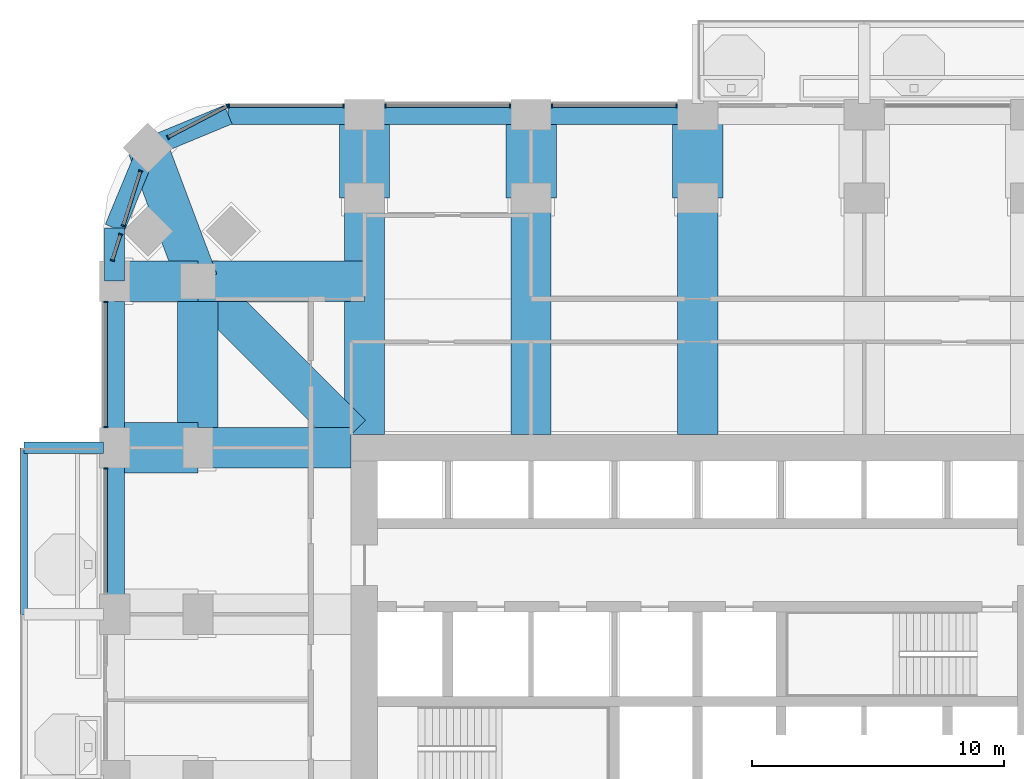
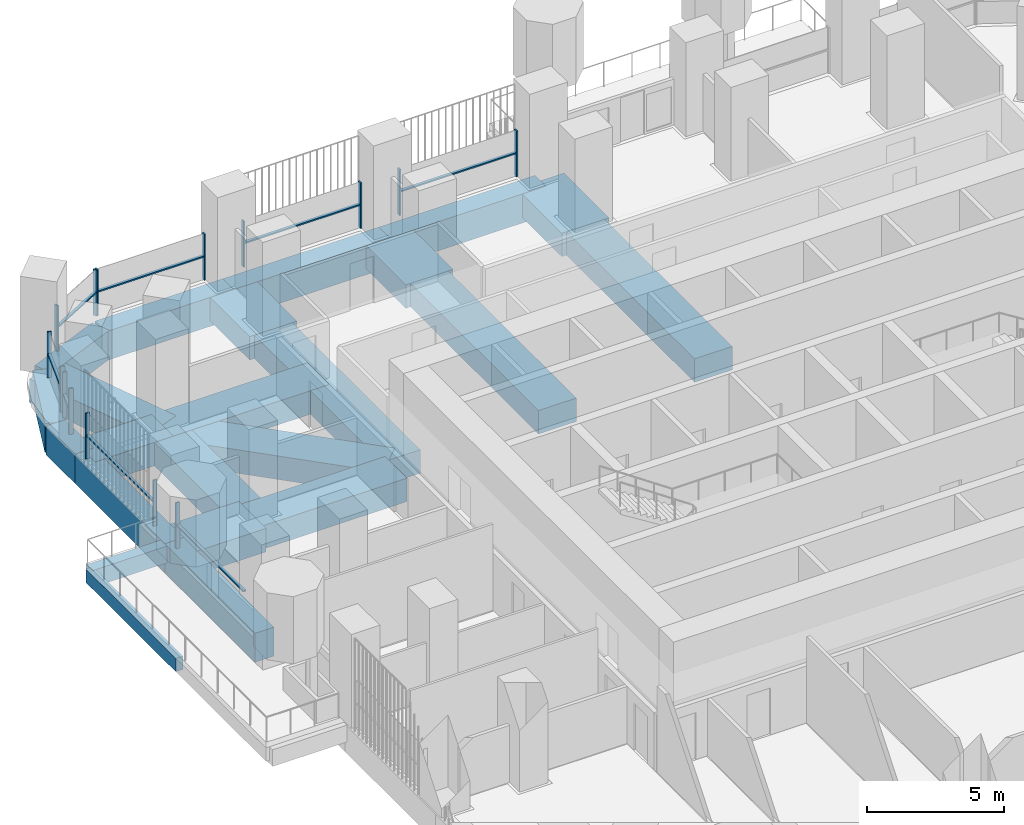
# One storey, part 6 of 22: 23 beams, 23 members, 8 elements without a shape of their own.
"""IFC4 building model written with IfcOpenShell, lengths in metres."""

from ifc_helpers import new_model, si_unit, direction, frame, origin, origin_2d, place, context, subcontext, project, spatial, rectangle, extrude, material, material_profile, profile_set, type_object, element, aggregate, save


model = new_model("IFC4")

# Units and contexts
model_context = context("Model", 3, precision=1e-05, world=origin(), true_north=direction((0.0, 1.0)))
body_context = subcontext(model_context, "Body", "Model", "MODEL_VIEW")
ifc_project = project(units=[si_unit("LENGTHUNIT", "METRE"), si_unit("AREAUNIT", "SQUARE_METRE"), si_unit("VOLUMEUNIT", "CUBIC_METRE"), si_unit("PLANEANGLEUNIT", "RADIAN"), si_unit("MASSUNIT", "GRAM", prefix="KILO")], contexts=[model_context])

# Site, building, storey
site_placement = place(None, origin())
site = spatial("IfcSite", under=ifc_project, at=site_placement, CompositionType="ELEMENT")
building_placement = place(site_placement, origin())
building = spatial("IfcBuilding", under=site, at=building_placement, Name="Cobogo Forest Laboratory Tower", CompositionType="ELEMENT")
storey_placement = place(building_placement, frame((0.0, 0.0, 145.199951171875)))
storey = spatial("IfcBuildingStorey", under=building, at=storey_placement, Name="L33", CompositionType="ELEMENT", Elevation=145.199951171875)

# Beams
ifc_material_1 = material(Name="Concrete HA-40 (C40/50)", Category="concrete")
ifc_material_profile_1 = material_profile(ifc_material_1, rectangle(XDim=0.449951171875, YDim=0.75, at=origin_2d()), Name="RC 450x750")
ifc_profile_set_1 = profile_set([ifc_material_profile_1], Name="Concrete HA-40 (C40/50)")
beam_type_1 = type_object("IfcBeamType", Name="Balcony cantilever beam 450x750", PredefinedType="BEAM", material=ifc_profile_set_1)
beam_1_placement = place(storey_placement, frame((2.85009765625, 33.0, -0.625), z_axis=(-1.0, 0.0, 0.0), x_axis=(0.0, -1.0, 0.0)))
element("IfcBeam", 1, at=beam_1_placement, inside=storey, type_object=beam_type_1, Name="CB1 BAL-W1-C3 L33", PredefinedType="BEAM", context=body_context, shape_type="SweptSolid", body=[
    extrude(rectangle(XDim=0.449951171875, YDim=0.75, at=origin_2d()), origin(), (0.0, 0.0, 1.0), 3.150146484375),
])
ifc_material_profile_2 = material_profile(ifc_material_1, rectangle(XDim=0.300048828125, YDim=0.60009765625, at=origin_2d()), Name="RC 300x600")
ifc_profile_set_2 = profile_set([ifc_material_profile_2], Name="Concrete HA-40 (C40/50)")
beam_type_2 = type_object("IfcBeamType", Name="Balcony edge beam 300x600", PredefinedType="BEAM", material=ifc_profile_set_2)
beam_2_placement = place(storey_placement, frame((-0.300048828125, 26.39990234375, -0.550048828125), z_axis=(0.0, 1.0, 0.0), x_axis=(-1.0, 0.0, 0.0)))
element("IfcBeam", 2, at=beam_2_placement, inside=storey, type_object=beam_type_2, Name="BB1 BAL-W1-T2 L33", PredefinedType="BEAM", context=body_context, shape_type="SweptSolid", body=[
    extrude(rectangle(XDim=0.300048828125, YDim=0.60009765625, at=origin_2d()), origin(), (0.0, 0.0, 1.0), 6.60009765625),
])
ifc_material_2 = material(Name="Concrete HA-50 (C50/60)", Category="concrete")
ifc_material_profile_3 = material_profile(ifc_material_2, rectangle(XDim=2.0, YDim=1.050048828125, at=origin_2d()), Name="RC 2000x1050")
ifc_profile_set_3 = profile_set([ifc_material_profile_3], Name="Concrete HA-50 (C50/60)")
beam_type_3 = type_object("IfcBeamType", Name="End-bay wide beam 2000x1050", PredefinedType="BEAM", material=ifc_profile_set_3)
for number, where, z_axis, x_axis, name in (
    (3, (13.199951171875, 46.199951171875, -0.824951171875), (0.0, -1.0, 0.0), (1.0, 0.0, 0.0), "RB7 R-3-N-X L33"),
    (4, (19.800048828125, 46.199951171875, -0.824951171875), (0.0, -1.0, 0.0), (1.0, 0.0, 0.0), "RB7 R-4-N-X L33"),
    (5, (26.39990234375, 46.199951171875, -0.824951171875), (0.0, -1.0, 0.0), (1.0, 0.0, 0.0), "RB7 R-5-N-X L33"),
    (6, (3.300048828125, 33.0, -0.824951171875), (1.0, 0.0, 0.0), (0.0, 1.0, 0.0), "RB7 R-F-W-X L33"),
):
    element("IfcBeam", number, at=place(storey_placement, frame(where, z_axis=z_axis, x_axis=x_axis)), inside=storey, type_object=beam_type_3, Name=name, PredefinedType="BEAM", context=body_context, shape_type="SweptSolid", body=[
        extrude(rectangle(XDim=2.0, YDim=1.050048828125, at=origin_2d()), origin(), (0.0, 0.0, 1.0), 3.300048828125),
    ])
ifc_material_profile_4 = material_profile(ifc_material_2, rectangle(XDim=1.60009765625, YDim=1.050048828125, at=origin_2d()), Name="RC 1600x1050")
ifc_profile_set_4 = profile_set([ifc_material_profile_4], Name="Concrete HA-50 (C50/60)")
beam_type_4 = type_object("IfcBeamType", Name="Laboratory floor wide beam 1600x1050", PredefinedType="BEAM", material=ifc_profile_set_4)
for number, where, z_axis, x_axis, name in (
    (7, (13.199951171875, 33.52490234375, -0.824951171875), (0.0, 1.0, 0.0), (-1.0, 0.0, 0.0), "RB8 R-3-N L33"),
    (8, (19.800048828125, 33.52490234375, -0.824951171875), (0.0, 1.0, 0.0), (-1.0, 0.0, 0.0), "RB8 R-4-N L33"),
    (9, (26.39990234375, 33.52490234375, -0.824951171875), (0.0, 1.0, 0.0), (-1.0, 0.0, 0.0), "RB8 R-5-N L33"),
):
    element("IfcBeam", number, at=place(storey_placement, frame(where, z_axis=z_axis, x_axis=x_axis)), inside=storey, type_object=beam_type_4, Name=name, PredefinedType="BEAM", context=body_context, shape_type="SweptSolid", body=[
        extrude(rectangle(XDim=1.60009765625, YDim=1.050048828125, at=origin_2d()), origin(), (0.0, 0.0, 1.0), 9.375),
    ])
beam_3_placement = place(storey_placement, frame((12.675048828125, 33.0, -0.824951171875), z_axis=(-1.0, 0.0, 0.0), x_axis=(0.0, -1.0, 0.0)))
element("IfcBeam", 10, at=beam_3_placement, inside=storey, type_object=beam_type_4, Name="RB8 R-F-W L33", PredefinedType="BEAM", context=body_context, shape_type="SweptSolid", body=[
    extrude(rectangle(XDim=1.60009765625, YDim=1.050048828125, at=origin_2d()), origin(), (0.0, 0.0, 1.0), 6.074951171875),
])
beam_4_placement = place(storey_placement, frame((6.60009765625, 39.60009765625, -0.824951171875), z_axis=(0.0, -1.0, 0.0), x_axis=(1.0, 0.0, 0.0)))
element("IfcBeam", 11, at=beam_4_placement, inside=storey, type_object=beam_type_4, Name="RB8 G-NW-XC L33", PredefinedType="BEAM", context=body_context, shape_type="SweptSolid", body=[
    extrude(rectangle(XDim=1.60009765625, YDim=1.050048828125, at=origin_2d()), origin(), (0.0, 0.0, 1.0), 6.60009765625),
])
beam_5_placement = place(storey_placement, frame((3.300048828125, 39.60009765625, -0.824951171875), z_axis=(1.0, 0.0, 0.0), x_axis=(0.0, 1.0, 0.0)))
element("IfcBeam", 12, at=beam_5_placement, inside=storey, type_object=beam_type_4, Name="RB8 G-NW-YF L33", PredefinedType="BEAM", context=body_context, shape_type="SweptSolid", body=[
    extrude(rectangle(XDim=1.60009765625, YDim=1.050048828125, at=origin_2d()), origin(), (0.0, 0.0, 1.0), 3.300048828125),
])
beam_6_placement = place(storey_placement, frame((6.60009765625, 39.60009765625, -0.824951171875), z_axis=(1.0, 0.0, 0.0), x_axis=(0.0, 1.0, 0.0)))
element("IfcBeam", 13, at=beam_6_placement, inside=storey, type_object=beam_type_4, Name="RB8 G-NW-YC L33", PredefinedType="BEAM", context=body_context, shape_type="SweptSolid", body=[
    extrude(rectangle(XDim=1.60009765625, YDim=1.050048828125, at=origin_2d()), origin(), (0.0, 0.0, 1.0), 6.599853515625),
])
beam_7_placement = place(storey_placement, frame((4.617919921875, 44.882080078125, -0.824951171875), z_axis=(0.351346325373, -0.936245565889, 0.0), x_axis=(0.936245565889, 0.351346325373, 0.0)))
element("IfcBeam", 14, at=beam_7_placement, inside=storey, type_object=beam_type_4, Name="RB8 G-NW-D1 L33", PredefinedType="BEAM", context=body_context, shape_type="SweptSolid", body=[
    extrude(rectangle(XDim=1.60009765625, YDim=1.050048828125, at=origin_2d()), origin(), (0.0, 0.0, 1.0), 5.6416015625),
])
beam_8_placement = place(storey_placement, frame((6.60009765625, 39.60009765625, -0.824951171875), z_axis=(0.707092572697, -0.70712098939, 0.0), x_axis=(0.70712098939, 0.707092572697, 0.0)))
element("IfcBeam", 15, at=beam_8_placement, inside=storey, type_object=beam_type_4, Name="RB8 G-NW-D2 L33", PredefinedType="BEAM", context=body_context, shape_type="SweptSolid", body=[
    extrude(rectangle(XDim=1.60009765625, YDim=1.050048828125, at=origin_2d()), origin(), (0.0, 0.0, 1.0), 8.591552734375),
])

# Curtain wall, members
ifc_material_3 = material(Name="Aluminium curtain wall", Category="aluminium")
curtain_wall_type = type_object("IfcCurtainWallType", Name="CW-1 unitised curtain wall, clear glazing, laboratory floors zones A and B", PredefinedType="USERDEFINED", material=ifc_material_3)
curtain_wall_1_placement = place(storey_placement, origin())
curtain_wall_1 = element("IfcCurtainWall", 16, at=curtain_wall_1_placement, inside=storey, type_object=curtain_wall_type, Name="Curtain wall 21 L33", ObjectType="UNITISED CURTAIN WALL", PredefinedType="USERDEFINED")
ifc_material_4 = material(Name="Aluminium mullion", Category="aluminium")
ifc_material_profile_5 = material_profile(ifc_material_4, rectangle(XDim=0.06005859375, YDim=0.159912109375, at=origin_2d()), Name="AL 60x160")
ifc_profile_set_5 = profile_set([ifc_material_profile_5], Name="Aluminium mullion")
member_type_1 = type_object("IfcMemberType", Name="MU-1 aluminium mullion 60x160", PredefinedType="MULLION", material=ifc_profile_set_5)
member_1_placement = place(storey_placement, frame((25.570068359375, 46.550048828125, 0.0), z_axis=(0.0, 0.0, 1.0), x_axis=(-1.0, 0.0, 0.0)))
member_1 = element("IfcMember", 17, at=member_1_placement, type_object=member_type_1, Name="CW-1 mullion 1", PredefinedType="MULLION", context=body_context, shape_type="SweptSolid", body=[
    extrude(rectangle(XDim=0.06005859375, YDim=0.159912109375, at=origin_2d()), origin(), (0.0, 0.0, 1.0), 2.050048828125),
])
member_2_placement = place(storey_placement, frame((20.6298828125, 46.550048828125, 0.0), z_axis=(0.0, 0.0, 1.0), x_axis=(-1.0, 0.0, 0.0)))
member_2 = element("IfcMember", 18, at=member_2_placement, type_object=member_type_1, Name="CW-1 mullion 2", PredefinedType="MULLION", context=body_context, shape_type="SweptSolid", body=[
    extrude(rectangle(XDim=0.06005859375, YDim=0.159912109375, at=origin_2d()), origin(), (0.0, 0.0, 1.0), 2.050048828125),
])

curtain_wall_2_placement = place(storey_placement, origin())
curtain_wall_2 = element("IfcCurtainWall", 19, at=curtain_wall_2_placement, inside=storey, type_object=curtain_wall_type, Name="Curtain wall 22 L33", ObjectType="UNITISED CURTAIN WALL", PredefinedType="USERDEFINED")
member_3_placement = place(storey_placement, frame((18.969970703125, 46.550048828125, 0.0), z_axis=(0.0, 0.0, 1.0), x_axis=(-1.0, 0.0, 0.0)))
member_3 = element("IfcMember", 20, at=member_3_placement, type_object=member_type_1, Name="CW-1 mullion 1", PredefinedType="MULLION", context=body_context, shape_type="SweptSolid", body=[
    extrude(rectangle(XDim=0.06005859375, YDim=0.159912109375, at=origin_2d()), origin(), (0.0, 0.0, 1.0), 2.050048828125),
])
member_4_placement = place(storey_placement, frame((14.030029296875, 46.550048828125, 0.0), z_axis=(0.0, 0.0, 1.0), x_axis=(-1.0, 0.0, 0.0)))
member_4 = element("IfcMember", 21, at=member_4_placement, type_object=member_type_1, Name="CW-1 mullion 2", PredefinedType="MULLION", context=body_context, shape_type="SweptSolid", body=[
    extrude(rectangle(XDim=0.06005859375, YDim=0.159912109375, at=origin_2d()), origin(), (0.0, 0.0, 1.0), 2.050048828125),
])

curtain_wall_3_placement = place(storey_placement, origin())
curtain_wall_3 = element("IfcCurtainWall", 22, at=curtain_wall_3_placement, inside=storey, type_object=curtain_wall_type, Name="Curtain wall 23 L33", ObjectType="UNITISED CURTAIN WALL", PredefinedType="USERDEFINED")
member_5_placement = place(storey_placement, frame((12.3701171875, 46.550048828125, 0.0), z_axis=(0.0, 0.0, 1.0), x_axis=(-1.0, 0.0, 0.0)))
member_5 = element("IfcMember", 23, at=member_5_placement, type_object=member_type_1, Name="CW-1 mullion 1", PredefinedType="MULLION", context=body_context, shape_type="SweptSolid", body=[
    extrude(rectangle(XDim=0.06005859375, YDim=0.159912109375, at=origin_2d()), origin(), (0.0, 0.0, 1.0), 2.050048828125),
])
member_6_placement = place(storey_placement, frame((7.830078125, 46.550048828125, 0.0), z_axis=(0.0, 0.0, 1.0), x_axis=(-1.0, 0.0, 0.0)))
member_6 = element("IfcMember", 24, at=member_6_placement, type_object=member_type_1, Name="CW-1 mullion 2", PredefinedType="MULLION", context=body_context, shape_type="SweptSolid", body=[
    extrude(rectangle(XDim=0.06005859375, YDim=0.159912109375, at=origin_2d()), origin(), (0.0, 0.0, 1.0), 2.050048828125),
])

curtain_wall_4_placement = place(storey_placement, origin())
curtain_wall_4 = element("IfcCurtainWall", 25, at=curtain_wall_4_placement, inside=storey, type_object=curtain_wall_type, Name="Curtain wall 24 L33", ObjectType="UNITISED CURTAIN WALL", PredefinedType="USERDEFINED")
member_7_placement = place(storey_placement, frame((7.7734375, 46.5361328125, 0.0), z_axis=(0.0, 0.0, 1.0), x_axis=(-0.885686540666, -0.464283697413, 0.0)))
member_7 = element("IfcMember", 26, at=member_7_placement, type_object=member_type_1, Name="CW-1 mullion 1", PredefinedType="MULLION", context=body_context, shape_type="SweptSolid", body=[
    extrude(rectangle(XDim=0.06005859375, YDim=0.159912109375, at=origin_2d()), origin(), (0.0, 0.0, 1.0), 2.050048828125),
])
member_8_placement = place(storey_placement, frame((5.414794921875, 45.299560546875, 0.0), z_axis=(0.0, 0.0, 1.0), x_axis=(-0.885686540666, -0.464283697413, 0.0)))
member_8 = element("IfcMember", 27, at=member_8_placement, type_object=member_type_1, Name="CW-1 mullion 2", PredefinedType="MULLION", context=body_context, shape_type="SweptSolid", body=[
    extrude(rectangle(XDim=0.06005859375, YDim=0.159912109375, at=origin_2d()), origin(), (0.0, 0.0, 1.0), 2.050048828125),
])

curtain_wall_5_placement = place(storey_placement, origin())
curtain_wall_5 = element("IfcCurtainWall", 28, at=curtain_wall_5_placement, inside=storey, type_object=curtain_wall_type, Name="Curtain wall 25 L33", ObjectType="UNITISED CURTAIN WALL", PredefinedType="USERDEFINED")
member_9_placement = place(storey_placement, frame((4.3271484375, 43.961181640625, 0.0), z_axis=(0.0, 0.0, 1.0), x_axis=(-0.301135343623, -0.953581409645, 0.0)))
member_9 = element("IfcMember", 29, at=member_9_placement, type_object=member_type_1, Name="CW-1 mullion 1", PredefinedType="MULLION", context=body_context, shape_type="SweptSolid", body=[
    extrude(rectangle(XDim=0.06005859375, YDim=0.159912109375, at=origin_2d()), origin(), (0.0, 0.0, 1.0), 2.050048828125),
])
member_10_placement = place(storey_placement, frame((3.645751953125, 41.802978515625, 0.0), z_axis=(0.0, 0.0, 1.0), x_axis=(-0.301135343623, -0.953581409645, 0.0)))
member_10 = element("IfcMember", 30, at=member_10_placement, type_object=member_type_1, Name="CW-1 mullion 2", PredefinedType="MULLION", context=body_context, shape_type="SweptSolid", body=[
    extrude(rectangle(XDim=0.06005859375, YDim=0.159912109375, at=origin_2d()), origin(), (0.0, 0.0, 1.0), 2.050048828125),
])

curtain_wall_6_placement = place(storey_placement, origin())
curtain_wall_6 = element("IfcCurtainWall", 31, at=curtain_wall_6_placement, inside=storey, type_object=curtain_wall_type, Name="Curtain wall 26 L33", ObjectType="UNITISED CURTAIN WALL", PredefinedType="USERDEFINED")
member_11_placement = place(storey_placement, frame((3.53515625, 41.453369140625, 0.0), z_axis=(0.0, 0.0, 1.0), x_axis=(-0.3011355018, -0.953581359694, 0.0)))
member_11 = element("IfcMember", 32, at=member_11_placement, type_object=member_type_1, Name="CW-1 mullion 1", PredefinedType="MULLION", context=body_context, shape_type="SweptSolid", body=[
    extrude(rectangle(XDim=0.06005859375, YDim=0.159912109375, at=origin_2d()), origin(), (0.0, 0.0, 1.0), 2.050048828125),
])
member_12_placement = place(storey_placement, frame((3.211669921875, 40.4287109375, 0.0), z_axis=(0.0, 0.0, 1.0), x_axis=(-0.3011355018, -0.953581359694, 0.0)))
member_12 = element("IfcMember", 33, at=member_12_placement, type_object=member_type_1, Name="CW-1 mullion 2", PredefinedType="MULLION", context=body_context, shape_type="SweptSolid", body=[
    extrude(rectangle(XDim=0.06005859375, YDim=0.159912109375, at=origin_2d()), origin(), (0.0, 0.0, 1.0), 2.050048828125),
])

curtain_wall_7_placement = place(storey_placement, origin())
curtain_wall_7 = element("IfcCurtainWall", 34, at=curtain_wall_7_placement, inside=storey, type_object=curtain_wall_type, Name="Curtain wall 27 L33", ObjectType="UNITISED CURTAIN WALL", PredefinedType="USERDEFINED")
member_13_placement = place(storey_placement, frame((2.949951171875, 38.77001953125, 0.0), z_axis=(0.0, 0.0, 1.0), x_axis=(0.0, -1.0, 0.0)))
member_13 = element("IfcMember", 35, at=member_13_placement, type_object=member_type_1, Name="CW-1 mullion 1", PredefinedType="MULLION", context=body_context, shape_type="SweptSolid", body=[
    extrude(rectangle(XDim=0.06005859375, YDim=0.159912109375, at=origin_2d()), origin(), (0.0, 0.0, 1.0), 2.050048828125),
])
member_14_placement = place(storey_placement, frame((2.949951171875, 33.830078125, 0.0), z_axis=(0.0, 0.0, 1.0), x_axis=(0.0, -1.0, 0.0)))
member_14 = element("IfcMember", 36, at=member_14_placement, type_object=member_type_1, Name="CW-1 mullion 2", PredefinedType="MULLION", context=body_context, shape_type="SweptSolid", body=[
    extrude(rectangle(XDim=0.06005859375, YDim=0.159912109375, at=origin_2d()), origin(), (0.0, 0.0, 1.0), 2.050048828125),
])

# Curtain wall, member
curtain_wall_8_placement = place(storey_placement, origin())
curtain_wall_8 = element("IfcCurtainWall", 37, at=curtain_wall_8_placement, inside=storey, type_object=curtain_wall_type, Name="Curtain wall 28 L33", ObjectType="UNITISED CURTAIN WALL", PredefinedType="USERDEFINED")
member_15_placement = place(storey_placement, frame((2.949951171875, 32.169921875, 0.0), z_axis=(0.0, 0.0, 1.0), x_axis=(0.0, -1.0, 0.0)))
member_15 = element("IfcMember", 38, at=member_15_placement, type_object=member_type_1, Name="CW-1 mullion 1", PredefinedType="MULLION", context=body_context, shape_type="SweptSolid", body=[
    extrude(rectangle(XDim=0.06005859375, YDim=0.159912109375, at=origin_2d()), origin(), (0.0, 0.0, 1.0), 2.050048828125),
])

# Beams
ifc_material_profile_6 = material_profile(ifc_material_1, rectangle(XDim=0.800048828125, YDim=1.300048828125, at=origin_2d()), Name="RC 800x1300")
ifc_profile_set_6 = profile_set([ifc_material_profile_6], Name="Concrete HA-40 (C40/50)")
beam_type_5 = type_object("IfcBeamType", Name="Perimeter edge beam 800x1300", PredefinedType="BEAM", material=ifc_profile_set_6)
beam_9_placement = place(storey_placement, frame((13.199951171875, 46.199951171875, -0.949951171875), z_axis=(1.0, 0.0, 0.0), x_axis=(0.0, 1.0, 0.0)))
element("IfcBeam", 39, at=beam_9_placement, inside=storey, type_object=beam_type_5, Name="EB2 E-N1 L33", PredefinedType="BEAM", context=body_context, shape_type="SweptSolid", body=[
    extrude(rectangle(XDim=0.800048828125, YDim=1.300048828125, at=origin_2d()), origin(), (0.0, 0.0, 1.0), 6.60009765625),
])
beam_10_placement = place(storey_placement, frame((19.800048828125, 46.199951171875, -0.949951171875), z_axis=(1.0, 0.0, 0.0), x_axis=(0.0, 1.0, 0.0)))
element("IfcBeam", 40, at=beam_10_placement, inside=storey, type_object=beam_type_5, Name="EB2 E-N2 L33", PredefinedType="BEAM", context=body_context, shape_type="SweptSolid", body=[
    extrude(rectangle(XDim=0.800048828125, YDim=1.300048828125, at=origin_2d()), origin(), (0.0, 0.0, 1.0), 6.599853515625),
])
for number, where, z_axis, x_axis, name in (
    (41, (3.300048828125, 26.39990234375, -0.949951171875), (0.0, 1.0, 0.0), (-1.0, 0.0, 0.0), "EB2 E-W4 L33"),
    (42, (3.300048828125, 33.0, -0.949951171875), (0.0, 1.0, 0.0), (-1.0, 0.0, 0.0), "EB2 E-W5 L33"),
):
    element("IfcBeam", number, at=place(storey_placement, frame(where, z_axis=z_axis, x_axis=x_axis)), inside=storey, type_object=beam_type_5, Name=name, PredefinedType="BEAM", context=body_context, shape_type="SweptSolid", body=[
        extrude(rectangle(XDim=0.800048828125, YDim=1.300048828125, at=origin_2d()), origin(), (0.0, 0.0, 1.0), 6.60009765625),
    ])
beam_11_placement = place(storey_placement, frame((13.199951171875, 46.199951171875, -0.949951171875), z_axis=(-1.0, 0.0, 0.0), x_axis=(0.0, -1.0, 0.0)))
element("IfcBeam", 43, at=beam_11_placement, inside=storey, type_object=beam_type_5, Name="EB2 E-NWN1 L33", PredefinedType="BEAM", context=body_context, shape_type="SweptSolid", body=[
    extrude(rectangle(XDim=0.800048828125, YDim=1.300048828125, at=origin_2d()), origin(), (0.0, 0.0, 1.0), 5.39990234375),
])
beam_12_placement = place(storey_placement, frame((7.800048828125, 46.199951171875, -0.949951171875), z_axis=(-0.923901072997, -0.382631424892, 0.0), x_axis=(0.382631424892, -0.923901072997, 0.0)))
element("IfcBeam", 44, at=beam_12_placement, inside=storey, type_object=beam_type_5, Name="EB2 E-NWN2 L33", PredefinedType="BEAM", context=body_context, shape_type="SweptSolid", body=[
    extrude(rectangle(XDim=0.800048828125, YDim=1.300048828125, at=origin_2d()), origin(), (0.0, 0.0, 1.0), 3.4443359375),
])
beam_13_placement = place(storey_placement, frame((3.300048828125, 39.60009765625, -0.949951171875), z_axis=(0.0, 1.0, 0.0), x_axis=(-1.0, 0.0, 0.0)))
element("IfcBeam", 45, at=beam_13_placement, inside=storey, type_object=beam_type_5, Name="EB2 E-NWW1 L33", PredefinedType="BEAM", context=body_context, shape_type="SweptSolid", body=[
    extrude(rectangle(XDim=0.800048828125, YDim=1.300048828125, at=origin_2d()), origin(), (0.0, 0.0, 1.0), 2.099853515625),
])
beam_14_placement = place(storey_placement, frame((3.300048828125, 41.699951171875, -0.949951171875), z_axis=(0.382631424892, 0.923901072997, 0.0), x_axis=(-0.923901072997, 0.382631424892, 0.0)))
element("IfcBeam", 46, at=beam_14_placement, inside=storey, type_object=beam_type_5, Name="EB2 E-NWW2 L33", PredefinedType="BEAM", context=body_context, shape_type="SweptSolid", body=[
    extrude(rectangle(XDim=0.800048828125, YDim=1.300048828125, at=origin_2d()), origin(), (0.0, 0.0, 1.0), 3.4443359375),
])

# Member
ifc_material_5 = material(Name="Aluminium transom", Category="aluminium")
ifc_material_profile_7 = material_profile(ifc_material_5, rectangle(XDim=0.1201171875, YDim=0.06005859375, at=origin_2d()), Name="AL 60x120")
ifc_profile_set_7 = profile_set([ifc_material_profile_7], Name="Aluminium transom")
member_type_2 = type_object("IfcMemberType", Name="TR-1 aluminium transom 60x120", PredefinedType="USERDEFINED", material=ifc_profile_set_7)
member_16_placement = place(storey_placement, frame((25.5400390625, 46.550048828125, 1.050048828125), z_axis=(-1.0, 0.0, 0.0), x_axis=(0.0, -1.0, 0.0)))
member_16 = element("IfcMember", 47, at=member_16_placement, type_object=member_type_2, Name="CW-1 transom 1.1", ObjectType="TRANSOM", PredefinedType="USERDEFINED", context=body_context, shape_type="SweptSolid", body=[
    extrude(rectangle(XDim=0.1201171875, YDim=0.06005859375, at=origin_2d()), origin(), (0.0, 0.0, 1.0), 4.880126953125),
])

aggregate(curtain_wall_1, [member_1, member_2, member_16])

member_17_placement = place(storey_placement, frame((18.93994140625, 46.550048828125, 1.050048828125), z_axis=(-1.0, 0.0, 0.0), x_axis=(0.0, -1.0, 0.0)))
member_17 = element("IfcMember", 48, at=member_17_placement, type_object=member_type_2, Name="CW-1 transom 1.1", ObjectType="TRANSOM", PredefinedType="USERDEFINED", context=body_context, shape_type="SweptSolid", body=[
    extrude(rectangle(XDim=0.1201171875, YDim=0.06005859375, at=origin_2d()), origin(), (0.0, 0.0, 1.0), 4.8798828125),
])

aggregate(curtain_wall_2, [member_3, member_4, member_17])

member_18_placement = place(storey_placement, frame((12.340087890625, 46.550048828125, 1.050048828125), z_axis=(-1.0, 0.0, 0.0), x_axis=(0.0, -1.0, 0.0)))
member_18 = element("IfcMember", 49, at=member_18_placement, type_object=member_type_2, Name="CW-1 transom 1.1", ObjectType="TRANSOM", PredefinedType="USERDEFINED", context=body_context, shape_type="SweptSolid", body=[
    extrude(rectangle(XDim=0.1201171875, YDim=0.06005859375, at=origin_2d()), origin(), (0.0, 0.0, 1.0), 4.47998046875),
])

aggregate(curtain_wall_3, [member_5, member_6, member_18])

member_19_placement = place(storey_placement, frame((7.746826171875, 46.522216796875, 1.050048828125), z_axis=(-0.885671787399, -0.46431184026, 0.0), x_axis=(0.46431184026, -0.885671787399, 0.0)))
member_19 = element("IfcMember", 50, at=member_19_placement, type_object=member_type_2, Name="CW-1 transom 1.1", ObjectType="TRANSOM", PredefinedType="USERDEFINED", context=body_context, shape_type="SweptSolid", body=[
    extrude(rectangle(XDim=0.1201171875, YDim=0.06005859375, at=origin_2d()), origin(), (0.0, 0.0, 1.0), 2.603271484375),
])

aggregate(curtain_wall_4, [member_7, member_8, member_19])

member_20_placement = place(storey_placement, frame((4.318115234375, 43.9326171875, 1.050048828125), z_axis=(-0.301062426819, -0.953604433273, 0.0), x_axis=(0.953604433273, -0.301062426819, 0.0)))
member_20 = element("IfcMember", 51, at=member_20_placement, type_object=member_type_2, Name="CW-1 transom 1.1", ObjectType="TRANSOM", PredefinedType="USERDEFINED", context=body_context, shape_type="SweptSolid", body=[
    extrude(rectangle(XDim=0.1201171875, YDim=0.06005859375, at=origin_2d()), origin(), (0.0, 0.0, 1.0), 2.203369140625),
])

aggregate(curtain_wall_5, [member_9, member_10, member_20])

member_21_placement = place(storey_placement, frame((3.526123046875, 41.4248046875, 1.050048828125), z_axis=(-0.301027719625, -0.953615389986, 0.0), x_axis=(0.953615389986, -0.301027719625, 0.0)))
member_21 = element("IfcMember", 52, at=member_21_placement, type_object=member_type_2, Name="CW-1 transom 1.1", ObjectType="TRANSOM", PredefinedType="USERDEFINED", context=body_context, shape_type="SweptSolid", body=[
    extrude(rectangle(XDim=0.1201171875, YDim=0.06005859375, at=origin_2d()), origin(), (0.0, 0.0, 1.0), 1.0146484375),
])

aggregate(curtain_wall_6, [member_11, member_12, member_21])

member_22_placement = place(storey_placement, frame((2.949951171875, 38.739990234375, 1.050048828125), z_axis=(0.0, -1.0, 0.0), x_axis=(1.0, 0.0, 0.0)))
member_22 = element("IfcMember", 53, at=member_22_placement, type_object=member_type_2, Name="CW-1 transom 1.1", ObjectType="TRANSOM", PredefinedType="USERDEFINED", context=body_context, shape_type="SweptSolid", body=[
    extrude(rectangle(XDim=0.1201171875, YDim=0.06005859375, at=origin_2d()), origin(), (0.0, 0.0, 1.0), 4.8798828125),
])

aggregate(curtain_wall_7, [member_13, member_14, member_22])

member_23_placement = place(storey_placement, frame((2.949951171875, 32.139892578125, 1.050048828125), z_axis=(0.0, -1.0, 0.0), x_axis=(1.0, 0.0, 0.0)))
member_23 = element("IfcMember", 54, at=member_23_placement, type_object=member_type_2, Name="CW-1 transom 1.1", ObjectType="TRANSOM", PredefinedType="USERDEFINED", context=body_context, shape_type="SweptSolid", body=[
    extrude(rectangle(XDim=0.1201171875, YDim=0.06005859375, at=origin_2d()), origin(), (0.0, 0.0, 1.0), 4.8798828125),
])

aggregate(curtain_wall_8, [member_15, member_23])

save(model, "model.ifc")
